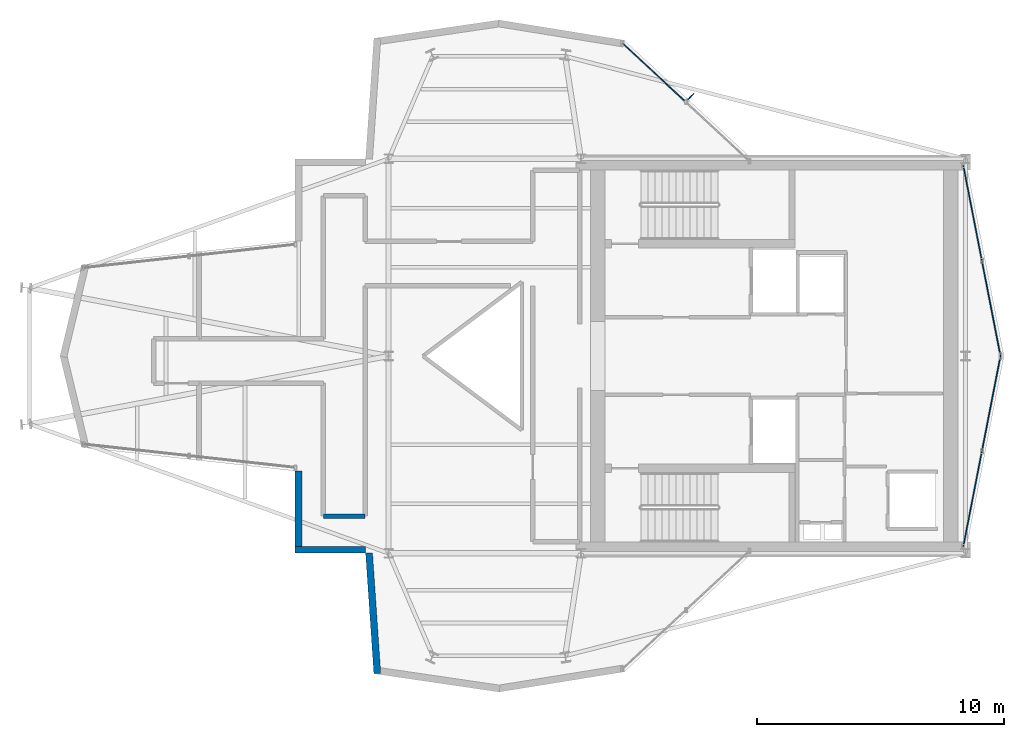
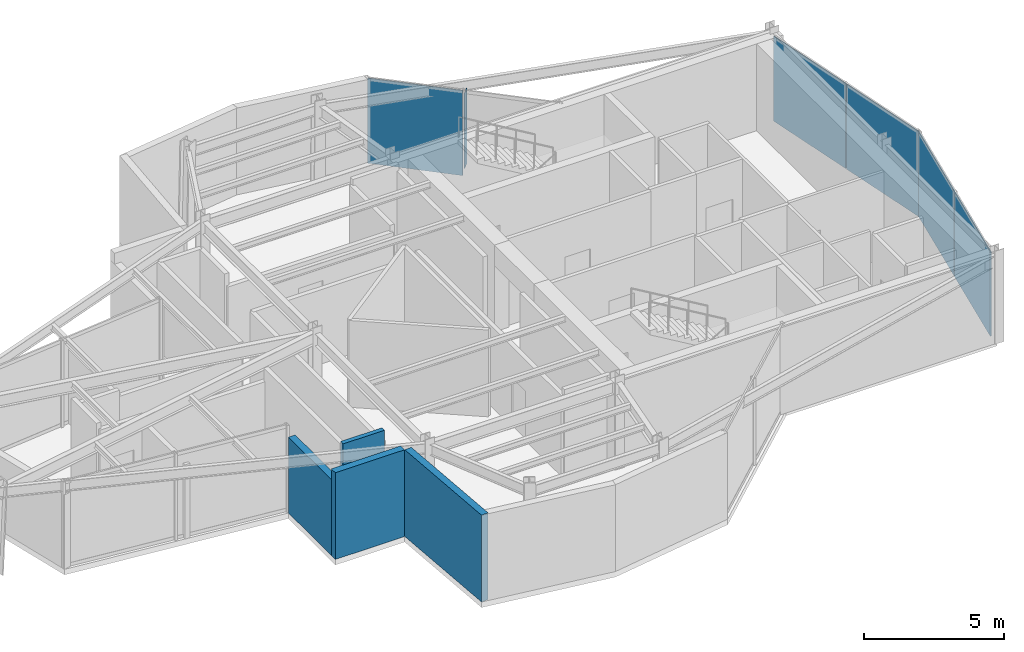
# One storey, part 8 of 11: 6 plates, 4 walls, 3 elements without a shape of their own.
"""IFC4 building model written with IfcOpenShell, lengths in metres."""

import ifcopenshell
import ifcopenshell.guid

model = None  # the IFC model being written
_history = None  # IfcOwnerHistory: only IFC2X3 demands one
_inside = {}  # id of a spatial element -> (the spatial element, [elements in it])
_under = {}  # id of a project, library or spatial element -> (it, [spatial elements below it])
_declared = {}  # id of a project -> (the project, [libraries it declares])
_typed = {}  # id of a type object -> (the type object, [elements of that type])
_made_of = {}  # id of a material, layer set ... -> (it, [elements and type objects made of it])


def new_model(schema):
    """Start an empty IFC model of exactly this schema.

    Asked for "IFC4X3", IfcOpenShell would pick the latest addendum, in which some entities
    have other attributes; the version numbers below select the first issue.
    IFC2X3 requires an IfcOwnerHistory on every rooted entity: one is made here for all.
    """
    global model, _history
    if schema == "IFC4X3":
        model = ifcopenshell.file(schema_version=(4, 3, 0, 0))
    else:
        model = ifcopenshell.file(schema=schema)
    _inside.clear()
    _under.clear()
    _declared.clear()
    _typed.clear()
    _made_of.clear()
    _history = None
    if model.schema == "IFC2X3":
        org = make("IfcOrganization", Name="unknown")
        user = make(
            "IfcPersonAndOrganization",
            ThePerson=make("IfcPerson", FamilyName="unknown"),
            TheOrganization=org,
        )
        app = make(
            "IfcApplication",
            ApplicationDeveloper=org,
            Version="unknown",
            ApplicationFullName="unknown",
            ApplicationIdentifier="unknown",
        )
        _history = make(
            "IfcOwnerHistory",
            OwningUser=user,
            OwningApplication=app,
            ChangeAction="ADDED",
            CreationDate=0,
        )
    return model


def make(cls, **values):
    """One entity of the class cls with the attributes given. An attribute that is None is left unset."""
    return model.create_entity(
        cls, **{name: value for name, value in values.items() if value is not None}
    )


def rooted(cls, **values):
    """An entity with a GlobalId (a new one), such as an element, a storey or a relation."""
    return make(cls, GlobalId=ifcopenshell.guid.new(), OwnerHistory=_history, **values)


def si_unit(unit_type, name, prefix=None):
    """IfcSIUnit, for example si_unit("LENGTHUNIT", "METRE", prefix="MILLI")."""
    return make("IfcSIUnit", UnitType=unit_type, Prefix=prefix, Name=name)


def assignment(units):
    """IfcUnitAssignment: the units of a project."""
    return None if units is None else make("IfcUnitAssignment", Units=units)


def point(xyz):
    """IfcCartesianPoint."""
    return None if xyz is None else make("IfcCartesianPoint", Coordinates=xyz)


def direction(xyz):
    """IfcDirection."""
    return None if xyz is None else make("IfcDirection", DirectionRatios=xyz)


def frame(location, z_axis=None, x_axis=None):
    """IfcAxis2Placement3D, a coordinate frame: its origin and axes. An axis left out is left unset."""
    return make(
        "IfcAxis2Placement3D",
        Location=point(location),
        Axis=direction(z_axis),
        RefDirection=direction(x_axis),
    )


def frame_2d(location, x_axis=None):
    """IfcAxis2Placement2D, a coordinate frame in the plane: its origin and x axis."""
    return make(
        "IfcAxis2Placement2D", Location=point(location), RefDirection=direction(x_axis)
    )


def origin():
    """The frame at (0, 0, 0) with its axes left unset."""
    return frame((0.0, 0.0, 0.0))


def origin_2d():
    """The frame at (0, 0) in the plane with its x axis left unset."""
    return frame_2d((0.0, 0.0))


def place(relative_to, where):
    """IfcLocalPlacement: puts the frame where relative to a parent placement (None: the world)."""
    return make(
        "IfcLocalPlacement", PlacementRelTo=relative_to, RelativePlacement=where
    )


def context(
    kind, dimensions, precision=None, world=None, true_north=None, identifier=None
):
    """IfcGeometricRepresentationContext, for example the 3D "Model" context."""
    return make(
        "IfcGeometricRepresentationContext",
        ContextIdentifier=identifier,
        ContextType=kind,
        CoordinateSpaceDimension=dimensions,
        Precision=precision,
        WorldCoordinateSystem=world,
        TrueNorth=true_north,
    )


def subcontext(parent, identifier, kind, view, scale=None):
    """IfcGeometricRepresentationSubContext, for example "Body" below "Model"."""
    return make(
        "IfcGeometricRepresentationSubContext",
        ContextIdentifier=identifier,
        ContextType=kind,
        ParentContext=parent,
        TargetScale=scale,
        TargetView=view,
    )


def project(units=None, contexts=None):
    """IfcProject with its units and contexts."""
    return rooted(
        "IfcProject",
        Name="project",
        RepresentationContexts=contexts,
        UnitsInContext=assignment(units),
    )


def spatial(cls, under=None, at=None, **own):
    """A site, building, storey or space (cls), placed at a placement, below another one or the project."""
    s = rooted(cls, ObjectPlacement=at, **own)
    if under is not None:
        _under.setdefault(under.id(), (under, []))[1].append(s)
    return s


def profile(cls, at=None, kind="AREA", **sizes):
    """A parametric profile (cls). Its sizes go by their IFC names, for example OverallWidth=200.0."""
    return make(cls, ProfileType=kind, Position=at, **sizes)


def rectangle(**sizes):
    """IfcRectangleProfileDef."""
    return profile("IfcRectangleProfileDef", **sizes)


def extrude(swept, where, along, depth):
    """IfcExtrudedAreaSolid: the profile swept, set in the frame where, extruded along a direction by depth."""
    return make(
        "IfcExtrudedAreaSolid",
        SweptArea=swept,
        Position=where,
        ExtrudedDirection=direction(along),
        Depth=depth,
    )


def shape(context_of_items, identifier, shape_type, items):
    """IfcShapeRepresentation: the items that make up one representation, for example the "Body"."""
    return make(
        "IfcShapeRepresentation",
        ContextOfItems=context_of_items,
        RepresentationIdentifier=identifier,
        RepresentationType=shape_type,
        Items=items,
    )


def material(Name=None, Category=None):
    """IfcMaterial."""
    return make("IfcMaterial", Name=Name, Category=Category)


def layer(
    of_material, thickness, ventilated=None, Name=None, Category=None, Priority=None
):
    """IfcMaterialLayer: one layer of a wall or slab, of a material (None: an air gap)."""
    return make(
        "IfcMaterialLayer",
        Material=of_material,
        LayerThickness=thickness,
        IsVentilated=ventilated,
        Name=Name,
        Category=Category,
        Priority=Priority,
    )


def layer_set(layers, Name=None):
    """IfcMaterialLayerSet."""
    return make("IfcMaterialLayerSet", MaterialLayers=layers, LayerSetName=Name)


def made_of(thing, what):
    """Note that an element or type object is made of a material, layer set ...; save() writes the relation."""
    if what is not None:
        _made_of.setdefault(what.id(), (what, []))[1].append(thing)
    return thing


def type_object(cls, material=None, **own):
    """A type object (cls), such as IfcWallType, which elements share."""
    return made_of(rooted(cls, **own), material)


def element(
    cls,
    number,
    at=None,
    inside=None,
    cuts=None,
    type_object=None,
    material=None,
    context=None,
    identifier="Body",
    shape_type=None,
    held_by="IfcProductDefinitionShape",
    body=None,
    shapes=None,
    **own,
):
    """One element of the class cls, such as IfcWall. Its Tag is "e" and its number.

    at: its placement. inside: the storey or other place that contains it. cuts: it is an
    opening in that element (IfcRelVoidsElement). A single representation is given by context,
    identifier, shape_type and body (its items); several are given by shapes. held_by: the class
    of the entity that holds the representations. save() writes the other relations.
    """
    e = rooted(cls, Tag="e%d" % number, ObjectPlacement=at, **own)
    if body is not None:
        shapes = [shape(context, identifier, shape_type, body)]
    if shapes is not None:
        e.Representation = make(held_by, Representations=shapes)
    if inside is not None:
        _inside.setdefault(inside.id(), (inside, []))[1].append(e)
    if cuts is not None:
        rooted(
            "IfcRelVoidsElement", RelatingBuildingElement=cuts, RelatedOpeningElement=e
        )
    if type_object is not None:
        _typed.setdefault(type_object.id(), (type_object, []))[1].append(e)
    return made_of(e, material)


def aggregate(whole, parts):
    """IfcRelAggregates: a whole, such as a stair, and the parts it consists of."""
    return rooted("IfcRelAggregates", RelatingObject=whole, RelatedObjects=parts)


def save(model, path):
    """Write the relations noted so far, then the file.

    IfcRelAggregates (storeys below a building ...), IfcRelContainedInSpatialStructure (elements
    in a storey), IfcRelDefinesByType, IfcRelAssociatesMaterial and IfcRelDeclares: one each for
    every whole, place, type object, material and project.
    """
    for whole, parts in _under.values():
        aggregate(whole, parts)
    for where, things in _inside.values():
        rooted(
            "IfcRelContainedInSpatialStructure",
            RelatedElements=things,
            RelatingStructure=where,
        )
    for kind, things in _typed.values():
        rooted("IfcRelDefinesByType", RelatedObjects=things, RelatingType=kind)
    for what, things in _made_of.values():
        rooted("IfcRelAssociatesMaterial", RelatedObjects=things, RelatingMaterial=what)
    for by, libraries in _declared.values():
        rooted("IfcRelDeclares", RelatingContext=by, RelatedDefinitions=libraries)
    model.write(path)


model = new_model("IFC4")

# Units and contexts
model_context = context("Model", 3, precision=1e-05, world=origin(), true_north=direction((0.0, 1.0)))
body_context = subcontext(model_context, "Body", "Model", "MODEL_VIEW")
ifc_project = project(units=[si_unit("LENGTHUNIT", "METRE"), si_unit("AREAUNIT", "SQUARE_METRE"), si_unit("VOLUMEUNIT", "CUBIC_METRE"), si_unit("PLANEANGLEUNIT", "RADIAN"), si_unit("MASSUNIT", "GRAM", prefix="KILO")], contexts=[model_context])

# Site, building, storey
site_placement = place(None, origin())
site = spatial("IfcSite", under=ifc_project, at=site_placement, CompositionType="ELEMENT")
building_placement = place(site_placement, origin())
building = spatial("IfcBuilding", under=site, at=building_placement, Name="Veymaron Broadcast Tower", CompositionType="ELEMENT")
storey_placement = place(building_placement, frame((0.0, 0.0, 323.550048828125)))
storey = spatial("IfcBuildingStorey", under=building, at=storey_placement, Name="L76", CompositionType="ELEMENT", Elevation=323.550048828125)

# Curtain wall, plates
ifc_material_1 = material(Name="Anodised aluminium AA 6063-T6 and laminated low-E dark glass", Category="aluminium")
ifc_layer_1 = layer(ifc_material_1, 0.179931640625)
ifc_layer_set_1 = layer_set([ifc_layer_1], Name="Anodised aluminium AA 6063-T6 and laminated low-E dark glass")
curtain_wall_type = type_object("IfcCurtainWallType", Name="CW-SYS-06", PredefinedType="NOTDEFINED", material=ifc_layer_set_1)
curtain_wall_1_placement = place(storey_placement, origin())
curtain_wall_1 = element("IfcCurtainWall", 1, at=curtain_wall_1_placement, inside=storey, type_object=curtain_wall_type, Name="L76 dark-glass curtain wall CW-L76-E2-1", PredefinedType="NOTDEFINED")
ifc_material_2 = material(Name="Insulated dark-anodised aluminium spandrel panel 40 mm", Category="aluminium")
ifc_layer_2 = layer(ifc_material_2, 0.0400390625)
ifc_layer_set_2 = layer_set([ifc_layer_2], Name="Insulated dark-anodised aluminium spandrel panel 40 mm")
plate_type_1 = type_object("IfcPlateType", Name="CW-PNL-03", PredefinedType="CURTAIN_PANEL", material=ifc_layer_set_2)
plate_1_placement = place(storey_placement, frame((54.886962890625, 18.19921875, 0.0400390625), z_axis=(0.0, 0.0, 1.0), x_axis=(0.191682683617, 0.981456952088, 0.0)))
plate_1 = element("IfcPlate", 2, at=plate_1_placement, type_object=plate_type_1, Name="CW-L76-E2-1 unitised curtain panel 0", PredefinedType="CURTAIN_PANEL", context=body_context, shape_type="SweptSolid", body=[
    extrude(rectangle(XDim=3.8984375, YDim=0.0400390625, at=origin_2d()), origin(), (0.0, 0.0, 1.0), 3.68994140625),
])
plate_2_placement = place(storey_placement, frame((55.6455078125, 22.084228515625, 0.0400390625), z_axis=(0.0, 0.0, 1.0), x_axis=(0.191682683617, 0.981456952088, 0.0)))
plate_2 = element("IfcPlate", 3, at=plate_2_placement, type_object=plate_type_1, Name="CW-L76-E2-1 unitised curtain panel 1", PredefinedType="CURTAIN_PANEL", context=body_context, shape_type="SweptSolid", body=[
    extrude(rectangle(XDim=3.8984375, YDim=0.0400390625, at=origin_2d()), origin(), (0.0, 0.0, 1.0), 3.68994140625),
])
aggregate(curtain_wall_1, [plate_1, plate_2])

curtain_wall_2_placement = place(storey_placement, origin())
curtain_wall_2 = element("IfcCurtainWall", 4, at=curtain_wall_2_placement, inside=storey, type_object=curtain_wall_type, Name="L76 dark-glass curtain wall CW-L76-E3-1", PredefinedType="NOTDEFINED")
plate_3_placement = place(storey_placement, frame((55.6455078125, 25.915771484375, 0.0400390625), z_axis=(0.0, 0.0, 1.0), x_axis=(-0.191682683617, 0.981456952088, 0.0)))
plate_3 = element("IfcPlate", 5, at=plate_3_placement, type_object=plate_type_1, Name="CW-L76-E3-1 unitised curtain panel 0", PredefinedType="CURTAIN_PANEL", context=body_context, shape_type="SweptSolid", body=[
    extrude(rectangle(XDim=3.8984375, YDim=0.0400390625, at=origin_2d()), origin(), (0.0, 0.0, 1.0), 3.68994140625),
])
plate_4_placement = place(storey_placement, frame((54.886962890625, 29.80078125, 0.0400390625), z_axis=(0.0, 0.0, 1.0), x_axis=(-0.191682683617, 0.981456952088, 0.0)))
plate_4 = element("IfcPlate", 6, at=plate_4_placement, type_object=plate_type_1, Name="CW-L76-E3-1 unitised curtain panel 1", PredefinedType="CURTAIN_PANEL", context=body_context, shape_type="SweptSolid", body=[
    extrude(rectangle(XDim=3.8984375, YDim=0.0400390625, at=origin_2d()), origin(), (0.0, 0.0, 1.0), 3.68994140625),
])
aggregate(curtain_wall_2, [plate_3, plate_4])

# Curtain wall, plate
curtain_wall_3_placement = place(storey_placement, origin())
curtain_wall_3 = element("IfcCurtainWall", 7, at=curtain_wall_3_placement, inside=storey, type_object=curtain_wall_type, Name="L76 dark-glass curtain wall CW-L76-E5-1", PredefinedType="NOTDEFINED")
plate_5_placement = place(storey_placement, frame((41.958984375, 35.507080078125, 0.0400390625), z_axis=(0.0, 0.0, 1.0), x_axis=(-0.732566659982, 0.680695297973, 0.0)))
plate_5 = element("IfcPlate", 8, at=plate_5_placement, type_object=plate_type_1, Name="CW-L76-E5-1 unitised curtain panel 1", PredefinedType="CURTAIN_PANEL", context=body_context, shape_type="SweptSolid", body=[
    extrude(rectangle(XDim=3.47509765625, YDim=0.0400390625, at=origin_2d()), origin(), (0.0, 0.0, 1.0), 3.68994140625),
])
aggregate(curtain_wall_3, [plate_5])

# Plate
ifc_material_3 = material(Name="Dark-anodised aluminium AA 6061-T6", Category="aluminium")
ifc_layer_3 = layer(ifc_material_3, 0.030029296875)
ifc_layer_set_3 = layer_set([ifc_layer_3], Name="Dark-anodised aluminium AA 6061-T6")
plate_type_2 = type_object("IfcPlateType", Name="FIN-CHEV-02", PredefinedType="USERDEFINED", material=ifc_layer_set_3)
plate_6_placement = place(storey_placement, frame((43.46142578125, 34.527099609375, 0.263916015625), z_axis=(0.0, 0.0, 1.0), x_axis=(0.680695297973, 0.732566659982, 0.0)))
element("IfcPlate", 9, at=plate_6_placement, inside=storey, type_object=plate_type_2, Name="CW-L76-E5-1 chevron fin 1", ObjectType="FIN", PredefinedType="USERDEFINED", context=body_context, shape_type="SweptSolid", body=[
    extrude(rectangle(XDim=0.35009765625, YDim=0.034912109375, at=origin_2d()), origin(), (0.0, 0.0, 1.0), 3.2421875),
])

# Walls
ifc_material_4 = material(Name="Precast concrete C40/50", Category="concrete")
ifc_layer_4 = layer(ifc_material_4, 0.280029296875)
ifc_layer_set_4 = layer_set([ifc_layer_4], Name="Precast concrete C40/50")
wall_type_1 = type_object("IfcWallType", Name="WALL-EXT-280", PredefinedType="STANDARD", material=ifc_layer_set_4)
wall_1_placement = place(storey_placement, frame((27.549560546875, 19.335205078125, 0.0), z_axis=(0.0, 0.0, 1.0), x_axis=(0.0, -1.0, 0.0)))
element("IfcWall", 10, at=wall_1_placement, inside=storey, type_object=wall_type_1, Name="L76 notched corner facade pier 15-1", PredefinedType="STANDARD", context=body_context, shape_type="SweptSolid", body=[
    extrude(rectangle(XDim=3.335205078125, YDim=0.280029296875, at=frame_2d((1.66748046875, 0.0))), origin(), (0.0, 0.0, 1.0), 3.299072265625),
])
wall_2_placement = place(storey_placement, frame((27.40966796875, 16.139892578125, 0.0), z_axis=(0.0, 0.0, 1.0), x_axis=(1.0, 0.0, 0.0)))
element("IfcWall", 11, at=wall_2_placement, inside=storey, type_object=wall_type_1, Name="L76 notched corner facade pier 16-1", PredefinedType="STANDARD", context=body_context, shape_type="SweptSolid", body=[
    extrude(rectangle(XDim=2.854736328125, YDim=0.280029296875, at=frame_2d((1.42724609375, 0.0))), origin(), (0.0, 0.0, 1.0), 3.77001953125),
])
wall_3_placement = place(storey_placement, frame((30.404052734375, 16.009521484375, 0.0), z_axis=(0.0, 0.0, 1.0), x_axis=(0.068328295709, -0.997662890963, 0.0)))
element("IfcWall", 12, at=wall_3_placement, inside=storey, type_object=wall_type_1, Name="L76 notched corner facade pier 17-1", PredefinedType="STANDARD", context=body_context, shape_type="SweptSolid", body=[
    extrude(rectangle(XDim=4.898681640625, YDim=0.280029296875, at=frame_2d((2.44921875, 0.0))), origin(), (0.0, 0.0, 1.0), 3.77001953125),
])
ifc_material_5 = material(Name="Concrete C40/50", Category="concrete")
ifc_layer_5 = layer(ifc_material_5, 0.179931640625)
ifc_layer_set_5 = layer_set([ifc_layer_5], Name="Concrete C40/50")
wall_type_2 = type_object("IfcWallType", Name="WALL-FIRE-180", PredefinedType="SOLIDWALL", material=ifc_layer_set_5)
wall_4_placement = place(storey_placement, frame((28.550048828125, 17.5, 0.0), z_axis=(0.0, 0.0, 1.0), x_axis=(1.0, 0.0, 0.0)))
element("IfcWall", 13, at=wall_4_placement, inside=storey, type_object=wall_type_2, Name="L76 partition IW-L76-P08", PredefinedType="SOLIDWALL", context=body_context, shape_type="SweptSolid", body=[
    extrude(rectangle(XDim=1.699951171875, YDim=0.179931640625, at=frame_2d((0.85009765625, 0.0))), origin(), (0.0, 0.0, 1.0), 3.77001953125),
])

save(model, "model.ifc")
